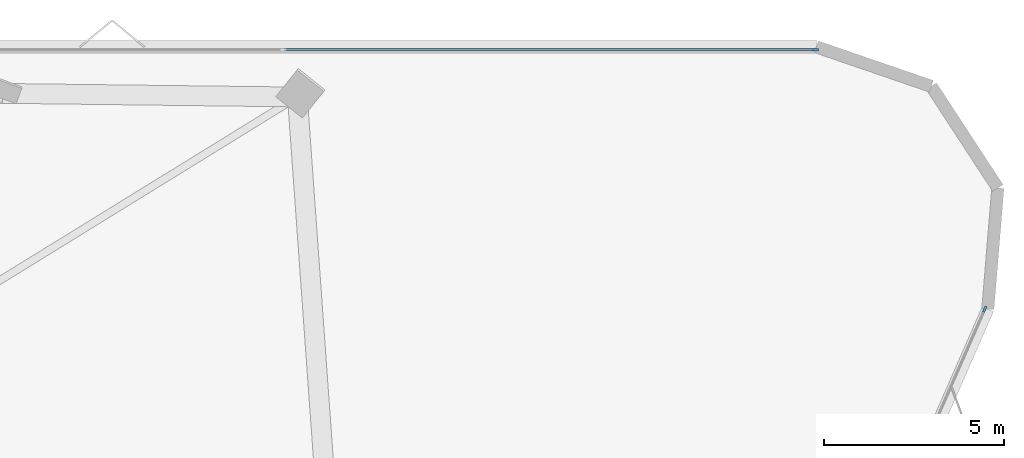
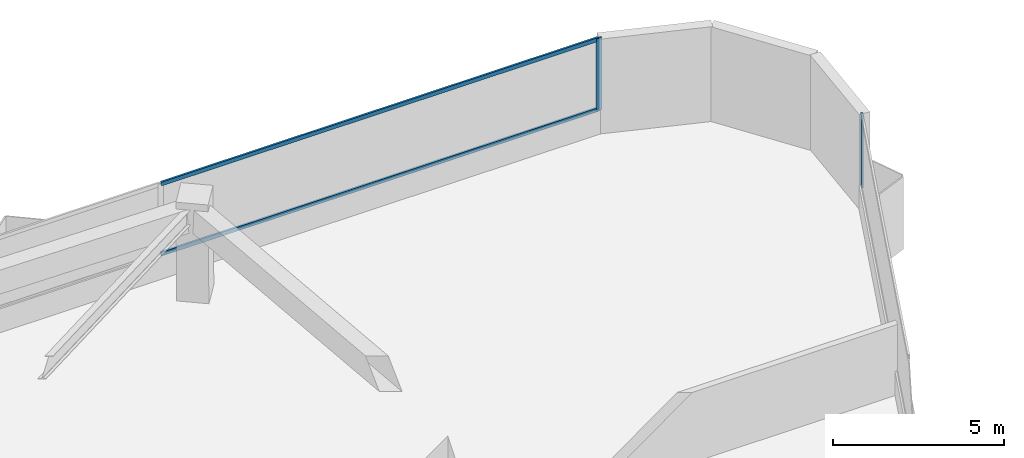
# One storey, part 13 of 20: 4 members, 2 elements without a shape of their own.
"""IFC4 building model written with IfcOpenShell, lengths in metres."""

import ifcopenshell
import ifcopenshell.guid

model = None  # the IFC model being written
_history = None  # IfcOwnerHistory: only IFC2X3 demands one
_inside = {}  # id of a spatial element -> (the spatial element, [elements in it])
_under = {}  # id of a project, library or spatial element -> (it, [spatial elements below it])
_declared = {}  # id of a project -> (the project, [libraries it declares])
_typed = {}  # id of a type object -> (the type object, [elements of that type])
_made_of = {}  # id of a material, layer set ... -> (it, [elements and type objects made of it])


def new_model(schema):
    """Start an empty IFC model of exactly this schema.

    Asked for "IFC4X3", IfcOpenShell would pick the latest addendum, in which some entities
    have other attributes; the version numbers below select the first issue.
    IFC2X3 requires an IfcOwnerHistory on every rooted entity: one is made here for all.
    """
    global model, _history
    if schema == "IFC4X3":
        model = ifcopenshell.file(schema_version=(4, 3, 0, 0))
    else:
        model = ifcopenshell.file(schema=schema)
    _inside.clear()
    _under.clear()
    _declared.clear()
    _typed.clear()
    _made_of.clear()
    _history = None
    if model.schema == "IFC2X3":
        org = make("IfcOrganization", Name="unknown")
        user = make(
            "IfcPersonAndOrganization",
            ThePerson=make("IfcPerson", FamilyName="unknown"),
            TheOrganization=org,
        )
        app = make(
            "IfcApplication",
            ApplicationDeveloper=org,
            Version="unknown",
            ApplicationFullName="unknown",
            ApplicationIdentifier="unknown",
        )
        _history = make(
            "IfcOwnerHistory",
            OwningUser=user,
            OwningApplication=app,
            ChangeAction="ADDED",
            CreationDate=0,
        )
    return model


def make(cls, **values):
    """One entity of the class cls with the attributes given. An attribute that is None is left unset."""
    return model.create_entity(
        cls, **{name: value for name, value in values.items() if value is not None}
    )


def rooted(cls, **values):
    """An entity with a GlobalId (a new one), such as an element, a storey or a relation."""
    return make(cls, GlobalId=ifcopenshell.guid.new(), OwnerHistory=_history, **values)


def si_unit(unit_type, name, prefix=None):
    """IfcSIUnit, for example si_unit("LENGTHUNIT", "METRE", prefix="MILLI")."""
    return make("IfcSIUnit", UnitType=unit_type, Prefix=prefix, Name=name)


def assignment(units):
    """IfcUnitAssignment: the units of a project."""
    return None if units is None else make("IfcUnitAssignment", Units=units)


def point(xyz):
    """IfcCartesianPoint."""
    return None if xyz is None else make("IfcCartesianPoint", Coordinates=xyz)


def direction(xyz):
    """IfcDirection."""
    return None if xyz is None else make("IfcDirection", DirectionRatios=xyz)


def frame(location, z_axis=None, x_axis=None):
    """IfcAxis2Placement3D, a coordinate frame: its origin and axes. An axis left out is left unset."""
    return make(
        "IfcAxis2Placement3D",
        Location=point(location),
        Axis=direction(z_axis),
        RefDirection=direction(x_axis),
    )


def frame_2d(location, x_axis=None):
    """IfcAxis2Placement2D, a coordinate frame in the plane: its origin and x axis."""
    return make(
        "IfcAxis2Placement2D", Location=point(location), RefDirection=direction(x_axis)
    )


def origin():
    """The frame at (0, 0, 0) with its axes left unset."""
    return frame((0.0, 0.0, 0.0))


def origin_2d():
    """The frame at (0, 0) in the plane with its x axis left unset."""
    return frame_2d((0.0, 0.0))


def place(relative_to, where):
    """IfcLocalPlacement: puts the frame where relative to a parent placement (None: the world)."""
    return make(
        "IfcLocalPlacement", PlacementRelTo=relative_to, RelativePlacement=where
    )


def context(
    kind, dimensions, precision=None, world=None, true_north=None, identifier=None
):
    """IfcGeometricRepresentationContext, for example the 3D "Model" context."""
    return make(
        "IfcGeometricRepresentationContext",
        ContextIdentifier=identifier,
        ContextType=kind,
        CoordinateSpaceDimension=dimensions,
        Precision=precision,
        WorldCoordinateSystem=world,
        TrueNorth=true_north,
    )


def subcontext(parent, identifier, kind, view, scale=None):
    """IfcGeometricRepresentationSubContext, for example "Body" below "Model"."""
    return make(
        "IfcGeometricRepresentationSubContext",
        ContextIdentifier=identifier,
        ContextType=kind,
        ParentContext=parent,
        TargetScale=scale,
        TargetView=view,
    )


def project(units=None, contexts=None):
    """IfcProject with its units and contexts."""
    return rooted(
        "IfcProject",
        Name="project",
        RepresentationContexts=contexts,
        UnitsInContext=assignment(units),
    )


def spatial(cls, under=None, at=None, **own):
    """A site, building, storey or space (cls), placed at a placement, below another one or the project."""
    s = rooted(cls, ObjectPlacement=at, **own)
    if under is not None:
        _under.setdefault(under.id(), (under, []))[1].append(s)
    return s


def profile(cls, at=None, kind="AREA", **sizes):
    """A parametric profile (cls). Its sizes go by their IFC names, for example OverallWidth=200.0."""
    return make(cls, ProfileType=kind, Position=at, **sizes)


def rectangle(**sizes):
    """IfcRectangleProfileDef."""
    return profile("IfcRectangleProfileDef", **sizes)


def extrude(swept, where, along, depth):
    """IfcExtrudedAreaSolid: the profile swept, set in the frame where, extruded along a direction by depth."""
    return make(
        "IfcExtrudedAreaSolid",
        SweptArea=swept,
        Position=where,
        ExtrudedDirection=direction(along),
        Depth=depth,
    )


def shape(context_of_items, identifier, shape_type, items):
    """IfcShapeRepresentation: the items that make up one representation, for example the "Body"."""
    return make(
        "IfcShapeRepresentation",
        ContextOfItems=context_of_items,
        RepresentationIdentifier=identifier,
        RepresentationType=shape_type,
        Items=items,
    )


def material(Name=None, Category=None):
    """IfcMaterial."""
    return make("IfcMaterial", Name=Name, Category=Category)


def layer(
    of_material, thickness, ventilated=None, Name=None, Category=None, Priority=None
):
    """IfcMaterialLayer: one layer of a wall or slab, of a material (None: an air gap)."""
    return make(
        "IfcMaterialLayer",
        Material=of_material,
        LayerThickness=thickness,
        IsVentilated=ventilated,
        Name=Name,
        Category=Category,
        Priority=Priority,
    )


def layer_set(layers, Name=None):
    """IfcMaterialLayerSet."""
    return make("IfcMaterialLayerSet", MaterialLayers=layers, LayerSetName=Name)


def material_profile(
    of_material, cross_section, Name=None, Category=None, Priority=None
):
    """IfcMaterialProfile: a cross section and its material."""
    return make(
        "IfcMaterialProfile",
        Name=Name,
        Material=of_material,
        Profile=cross_section,
        Priority=Priority,
        Category=Category,
    )


def profile_set(profiles, Name=None, composite=None):
    """IfcMaterialProfileSet."""
    return make(
        "IfcMaterialProfileSet",
        Name=Name,
        MaterialProfiles=profiles,
        CompositeProfile=composite,
    )


def made_of(thing, what):
    """Note that an element or type object is made of a material, layer set ...; save() writes the relation."""
    if what is not None:
        _made_of.setdefault(what.id(), (what, []))[1].append(thing)
    return thing


def type_object(cls, material=None, **own):
    """A type object (cls), such as IfcWallType, which elements share."""
    return made_of(rooted(cls, **own), material)


def element(
    cls,
    number,
    at=None,
    inside=None,
    cuts=None,
    type_object=None,
    material=None,
    context=None,
    identifier="Body",
    shape_type=None,
    held_by="IfcProductDefinitionShape",
    body=None,
    shapes=None,
    **own,
):
    """One element of the class cls, such as IfcWall. Its Tag is "e" and its number.

    at: its placement. inside: the storey or other place that contains it. cuts: it is an
    opening in that element (IfcRelVoidsElement). A single representation is given by context,
    identifier, shape_type and body (its items); several are given by shapes. held_by: the class
    of the entity that holds the representations. save() writes the other relations.
    """
    e = rooted(cls, Tag="e%d" % number, ObjectPlacement=at, **own)
    if body is not None:
        shapes = [shape(context, identifier, shape_type, body)]
    if shapes is not None:
        e.Representation = make(held_by, Representations=shapes)
    if inside is not None:
        _inside.setdefault(inside.id(), (inside, []))[1].append(e)
    if cuts is not None:
        rooted(
            "IfcRelVoidsElement", RelatingBuildingElement=cuts, RelatedOpeningElement=e
        )
    if type_object is not None:
        _typed.setdefault(type_object.id(), (type_object, []))[1].append(e)
    return made_of(e, material)


def aggregate(whole, parts):
    """IfcRelAggregates: a whole, such as a stair, and the parts it consists of."""
    return rooted("IfcRelAggregates", RelatingObject=whole, RelatedObjects=parts)


def save(model, path):
    """Write the relations noted so far, then the file.

    IfcRelAggregates (storeys below a building ...), IfcRelContainedInSpatialStructure (elements
    in a storey), IfcRelDefinesByType, IfcRelAssociatesMaterial and IfcRelDeclares: one each for
    every whole, place, type object, material and project.
    """
    for whole, parts in _under.values():
        aggregate(whole, parts)
    for where, things in _inside.values():
        rooted(
            "IfcRelContainedInSpatialStructure",
            RelatedElements=things,
            RelatingStructure=where,
        )
    for kind, things in _typed.values():
        rooted("IfcRelDefinesByType", RelatedObjects=things, RelatingType=kind)
    for what, things in _made_of.values():
        rooted("IfcRelAssociatesMaterial", RelatedObjects=things, RelatingMaterial=what)
    for by, libraries in _declared.values():
        rooted("IfcRelDeclares", RelatingContext=by, RelatedDefinitions=libraries)
    model.write(path)


model = new_model("IFC4")

# Units and contexts
model_context = context("Model", 3, precision=1e-05, world=origin(), true_north=direction((0.0, 1.0)))
body_context = subcontext(model_context, "Body", "Model", "MODEL_VIEW")
ifc_project = project(units=[si_unit("LENGTHUNIT", "METRE"), si_unit("AREAUNIT", "SQUARE_METRE"), si_unit("VOLUMEUNIT", "CUBIC_METRE"), si_unit("PLANEANGLEUNIT", "RADIAN"), si_unit("MASSUNIT", "GRAM", prefix="KILO")], contexts=[model_context])

# Site, building, storey
site_placement = place(None, origin())
site = spatial("IfcSite", under=ifc_project, at=site_placement, CompositionType="ELEMENT")
building_placement = place(site_placement, origin())
building = spatial("IfcBuilding", under=site, at=building_placement, Name="Talyreon Biosciences Tower", CompositionType="ELEMENT")
storey_placement = place(building_placement, frame((0.0, 0.0, 30.10009765625)))
storey = spatial("IfcBuildingStorey", under=building, at=storey_placement, Name="L07", CompositionType="ELEMENT", Elevation=30.10009765625)

# Curtain wall, member
ifc_material_1 = material(Name="Thermally broken aluminium and low-E glazing", Category="aluminium")
ifc_layer = layer(ifc_material_1, 0.195068359375)
ifc_layer_set = layer_set([ifc_layer], Name="Thermally broken aluminium and low-E glazing")
curtain_wall_type = type_object("IfcCurtainWallType", Name="CurtainWall_Zone1WetLab", PredefinedType="NOTDEFINED", material=ifc_layer_set)
curtain_wall_1_placement = place(storey_placement, origin())
curtain_wall_1 = element("IfcCurtainWall", 1, at=curtain_wall_1_placement, inside=storey, type_object=curtain_wall_type, Name="L07 Unitised Curtain Wall FCW-L07-04", PredefinedType="NOTDEFINED")
ifc_material_2 = material(Name="Anodised thermally broken aluminium", Category="aluminium")
ifc_material_profile_1 = material_profile(ifc_material_2, rectangle(XDim=0.06494140625, YDim=0.179931640625, at=origin_2d()), Name="ALUM MULLION 65x180")
ifc_profile_set_1 = profile_set([ifc_material_profile_1], Name="Anodised thermally broken aluminium")
member_type_1 = type_object("IfcMemberType", Name="CWMullion_65x180", PredefinedType="MULLION", material=ifc_profile_set_1)
member_1_placement = place(storey_placement, frame((95.5791015625, 92.474365234375, 0.809814453125), z_axis=(0.0, 0.0, 1.0), x_axis=(0.0, 1.0, 0.0)))
member_1 = element("IfcMember", 2, at=member_1_placement, type_object=member_type_1, Name="CW2 mullion 5", PredefinedType="MULLION", context=body_context, shape_type="SweptSolid", body=[
    extrude(rectangle(XDim=0.06494140625, YDim=0.179931640625, at=origin_2d()), origin(), (0.0, 0.0, 1.0), 2.565185546875),
])

curtain_wall_2_placement = place(storey_placement, origin())
curtain_wall_2 = element("IfcCurtainWall", 3, at=curtain_wall_2_placement, inside=storey, type_object=curtain_wall_type, Name="L07 Unitised Curtain Wall FCW-L07-08", PredefinedType="NOTDEFINED")
member_2_placement = place(storey_placement, frame((100.2880859375, 85.26953125, 0.809814453125), z_axis=(0.0, 0.0, 1.0), x_axis=(0.915926900592, -0.401345129249, 0.0)))
member_2 = element("IfcMember", 4, at=member_2_placement, type_object=member_type_1, Name="CW2 mullion 1", PredefinedType="MULLION", context=body_context, shape_type="SweptSolid", body=[
    extrude(rectangle(XDim=0.06494140625, YDim=0.179931640625, at=origin_2d()), origin(), (0.0, 0.0, 1.0), 2.565185546875),
])
aggregate(curtain_wall_2, [member_2])

# Member
ifc_material_profile_2 = material_profile(ifc_material_2, rectangle(XDim=0.06494140625, YDim=0.139892578125, at=origin_2d()), Name="ALUM TRANSOM 65x140")
ifc_profile_set_2 = profile_set([ifc_material_profile_2], Name="Anodised thermally broken aluminium")
member_type_2 = type_object("IfcMemberType", Name="CWTransom_65x140", PredefinedType="USERDEFINED", material=ifc_profile_set_2)
member_3_placement = place(storey_placement, frame((80.838134765625, 92.474365234375, 0.84228515625), z_axis=(1.0, 0.0, 0.0), x_axis=(0.0, 1.0, 0.0)))
member_3 = element("IfcMember", 5, at=member_3_placement, type_object=member_type_2, Name="CW2 transom 4.1", ObjectType="TRANSOM", PredefinedType="USERDEFINED", context=body_context, shape_type="SweptSolid", body=[
    extrude(rectangle(XDim=0.06494140625, YDim=0.139892578125, at=origin_2d()), origin(), (0.0, 0.0, 1.0), 14.708251953125),
])

member_4_placement = place(storey_placement, frame((80.838134765625, 92.474365234375, 3.34228515625), z_axis=(1.0, 0.0, 0.0), x_axis=(0.0, 1.0, 0.0)))
member_4 = element("IfcMember", 6, at=member_4_placement, type_object=member_type_2, Name="CW2 transom 4.2", ObjectType="TRANSOM", PredefinedType="USERDEFINED", context=body_context, shape_type="SweptSolid", body=[
    extrude(rectangle(XDim=0.06494140625, YDim=0.139892578125, at=origin_2d()), origin(), (0.0, 0.0, 1.0), 14.708251953125),
])

aggregate(curtain_wall_1, [member_1, member_3, member_4])

save(model, "model.ifc")
